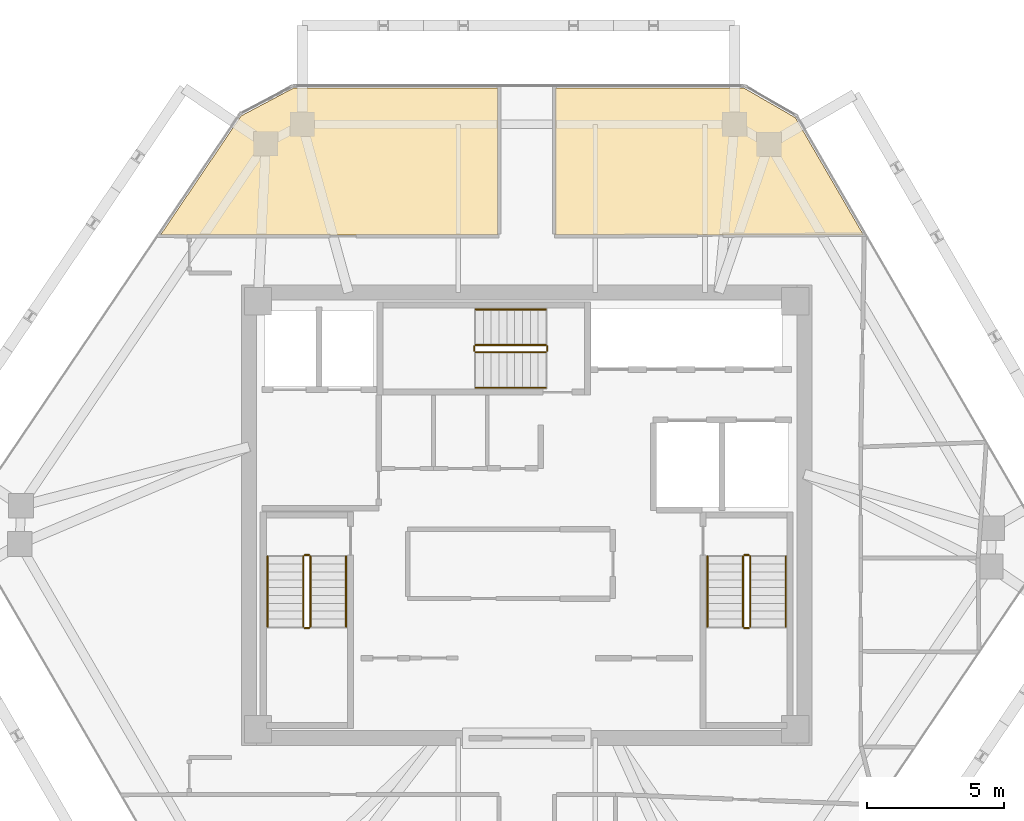
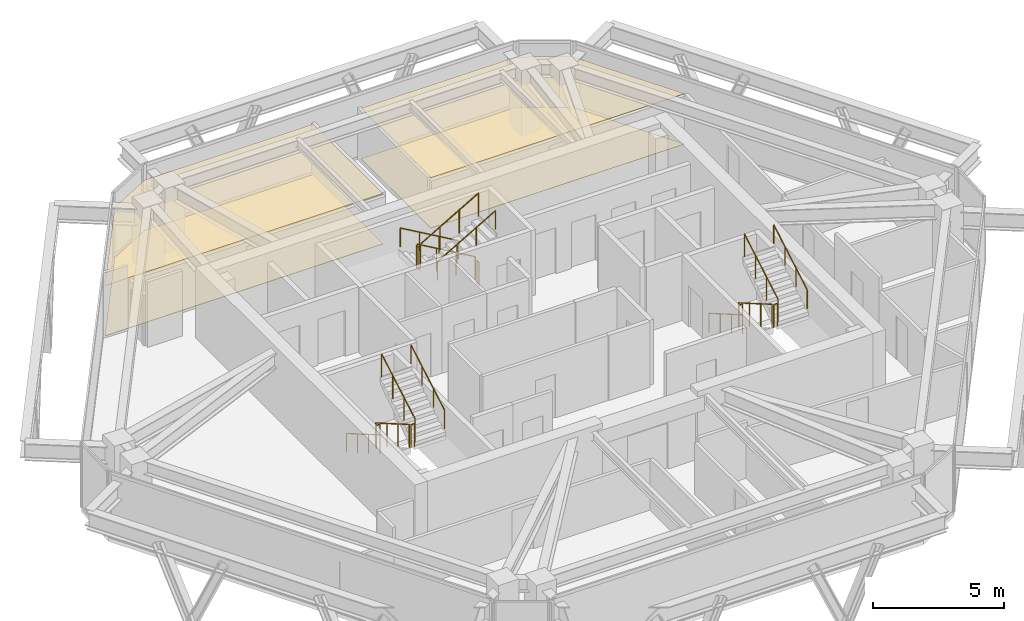
# One storey, part 11 of 11: 18 railings, 4 coverings.
"""IFC4 building model written with IfcOpenShell, lengths in metres."""

from ifc_helpers import new_model, si_unit, direction, frame, origin, origin_2d, place, context, subcontext, project, spatial, polyline, circle, outline, extrude, material, layer, layer_set, type_object, element, save


model = new_model("IFC4")

# Units and contexts
model_context = context("Model", 3, precision=1e-05, world=origin(), true_north=direction((0.0, 1.0)))
body_context = subcontext(model_context, "Body", "Model", "MODEL_VIEW")
ifc_project = project(units=[si_unit("LENGTHUNIT", "METRE"), si_unit("AREAUNIT", "SQUARE_METRE"), si_unit("VOLUMEUNIT", "CUBIC_METRE"), si_unit("PLANEANGLEUNIT", "RADIAN"), si_unit("MASSUNIT", "GRAM", prefix="KILO")], contexts=[model_context])

# Site, building, storey
site_placement = place(None, origin())
site = spatial("IfcSite", under=ifc_project, at=site_placement, CompositionType="ELEMENT")
building_placement = place(site_placement, origin())
building = spatial("IfcBuilding", under=site, at=building_placement, Name="Durnholm Broadcast Tower", CompositionType="ELEMENT")
storey_placement = place(building_placement, frame((0.0, 0.0, 218.300048828125)))
storey = spatial("IfcBuildingStorey", under=building, at=storey_placement, Name="L60", CompositionType="ELEMENT", Elevation=218.300048828125)

# Coverings
ifc_material_1 = material(Name="Mineral Fiber Acoustic Ceiling Tile", Category="concrete")
ifc_layer_1 = layer(ifc_material_1, 0.02490234375)
ifc_layer_set_1 = layer_set([ifc_layer_1], Name="Mineral Fiber Acoustic Ceiling Tile")
covering_type_1 = type_object("IfcCoveringType", Name="COV-CEIL-AC", PredefinedType="CEILING", material=ifc_layer_set_1)
covering_1_placement = place(storey_placement, frame((0.0, 0.0, 2.349853515625)))
element("IfcCovering", 1, at=covering_1_placement, inside=storey, type_object=covering_type_1, Name="L60 Open Plan Broadcast Workspace 2 acoustic ceiling", PredefinedType="CEILING", context=body_context, shape_type="SweptSolid", body=[
    extrude(outline(polyline([(-1.054931640625, 10.22509765625), (-1.054931640625, 15.576904296875), (-8.515380859375, 15.576904296875), (-10.4208984375, 14.565185546875), (-13.35498046875, 10.22509765625), (-1.054931640625, 10.22509765625)])), origin(), (0.0, 0.0, 1.0), 0.025146484375),
])
covering_2_placement = place(storey_placement, frame((0.0, 0.0, 2.349853515625)))
element("IfcCovering", 2, at=covering_2_placement, inside=storey, type_object=covering_type_1, Name="L60 Open Plan Broadcast Workspace 3 acoustic ceiling", PredefinedType="CEILING", context=body_context, shape_type="SweptSolid", body=[
    extrude(outline(polyline([(12.2802734375, 10.22509765625), (9.798095703125, 14.501708984375), (7.931396484375, 15.576904296875), (1.054931640625, 15.576904296875), (1.054931640625, 10.22509765625), (12.2802734375, 10.22509765625)])), origin(), (0.0, 0.0, 1.0), 0.025146484375),
])
ifc_material_2 = material(Name="Engineered Oak Acoustic Broadcast Flooring", Category="wood")
ifc_layer_2 = layer(ifc_material_2, 0.02001953125)
ifc_layer_set_2 = layer_set([ifc_layer_2], Name="Engineered Oak Acoustic Broadcast Flooring")
covering_type_2 = type_object("IfcCoveringType", Name="COV-FLR-OAK", PredefinedType="FLOORING", material=ifc_layer_set_2)
covering_3_placement = place(storey_placement, origin())
element("IfcCovering", 3, at=covering_3_placement, inside=storey, type_object=covering_type_2, Name="L60 Open Plan Broadcast Workspace 2 acoustic oak flooring", PredefinedType="FLOORING", context=body_context, shape_type="SweptSolid", body=[
    extrude(outline(polyline([(-1.054931640625, 10.22509765625), (-1.054931640625, 15.576904296875), (-8.515380859375, 15.576904296875), (-10.4208984375, 14.565185546875), (-13.35498046875, 10.22509765625), (-1.054931640625, 10.22509765625)])), origin(), (0.0, 0.0, 1.0), 0.02001953125),
])
covering_4_placement = place(storey_placement, origin())
element("IfcCovering", 4, at=covering_4_placement, inside=storey, type_object=covering_type_2, Name="L60 Open Plan Broadcast Workspace 3 acoustic oak flooring", PredefinedType="FLOORING", context=body_context, shape_type="SweptSolid", body=[
    extrude(outline(polyline([(12.2802734375, 10.22509765625), (9.798095703125, 14.501708984375), (7.931396484375, 15.576904296875), (1.054931640625, 15.576904296875), (1.054931640625, 10.22509765625), (12.2802734375, 10.22509765625)])), origin(), (0.0, 0.0, 1.0), 0.02001953125),
])

# Railings
ifc_material_3 = material(Name="Painted Tubular Steel Stair Guardrail", Category="steel")
railing_type_1 = type_object("IfcRailingType", Name="RAIL-ST-GRD", PredefinedType="GUARDRAIL", material=ifc_material_3)
railing_1_placement = place(storey_placement, frame((-8.14990234375, -1.5, 0.1650390625)))
element("IfcRailing", 5, at=railing_1_placement, inside=storey, type_object=railing_type_1, Name="L60 ST-1 stair guard 1", PredefinedType="GUARDRAIL", context=body_context, shape_type="SweptSolid", body=[
    extrude(circle(Radius=0.02392578125, at=origin_2d()), frame((0.0, 0.0, 1.076171875), z_axis=(0.0, -0.865441324677, 0.50101029285), x_axis=(1.0, 0.0, 0.0)), (0.0, 0.0, 1.0), 2.963623046875),
    extrude(circle(Radius=0.02099609375, at=origin_2d()), origin(), (0.0, 0.0, 1.0), 1.052001953125),
    extrude(circle(Radius=0.02099609375, at=origin_2d()), frame((0.0, -0.85498046875, 0.494873046875)), (0.0, 0.0, 1.0), 1.052001953125),
    extrude(circle(Radius=0.02099609375, at=origin_2d()), frame((0.0, -1.7099609375, 0.989990234375)), (0.0, 0.0, 1.0), 1.052001953125),
    extrude(circle(Radius=0.02099609375, at=origin_2d()), frame((0.0, -2.56494140625, 1.48486328125)), (0.0, 0.0, 1.0), 1.052001953125),
])
railing_2_placement = place(storey_placement, frame((-8.10009765625, -4.114990234375, 1.64990234375)))
element("IfcRailing", 6, at=railing_2_placement, inside=storey, type_object=railing_type_1, Name="L60 ST-1 stair guard 2", PredefinedType="GUARDRAIL", context=body_context, shape_type="SweptSolid", body=[
    extrude(circle(Radius=0.02392578125, at=origin_2d()), frame((0.0, 0.0, 1.076171875), z_axis=(1.0, 0.0, 0.0), x_axis=(0.0, 1.0, 0.0)), (0.0, 0.0, 1.0), 0.16015625),
    extrude(circle(Radius=0.02099609375, at=origin_2d()), origin(), (0.0, 0.0, 1.0), 1.052001953125),
    extrude(circle(Radius=0.02099609375, at=origin_2d()), frame((0.16015625, 0.0, 0.0)), (0.0, 0.0, 1.0), 1.052001953125),
])
railing_3_placement = place(storey_placement, frame((-7.889892578125, -4.06494140625, 1.81494140625)))
element("IfcRailing", 7, at=railing_3_placement, inside=storey, type_object=railing_type_1, Name="L60 ST-1 stair guard 3", PredefinedType="GUARDRAIL", context=body_context, shape_type="SweptSolid", body=[
    extrude(circle(Radius=0.02392578125, at=origin_2d()), frame((0.0, 0.0, 1.076171875), z_axis=(0.0, 0.865405606168, 0.501071987656), x_axis=(-1.0, 0.0, 0.0)), (0.0, 0.0, 1.0), 2.9638671875),
    extrude(circle(Radius=0.02099609375, at=origin_2d()), origin(), (0.0, 0.0, 1.0), 1.052001953125),
    extrude(circle(Radius=0.02099609375, at=origin_2d()), frame((0.0, 0.85498046875, 0.4951171875)), (0.0, 0.0, 1.0), 1.052001953125),
    extrude(circle(Radius=0.02099609375, at=origin_2d()), frame((0.0, 1.7099609375, 0.989990234375)), (0.0, 0.0, 1.0), 1.052001953125),
    extrude(circle(Radius=0.02099609375, at=origin_2d()), frame((0.0, 2.56494140625, 1.485107421875)), (0.0, 0.0, 1.0), 1.052001953125),
])
railing_4_placement = place(storey_placement, frame((-8.10009765625, -1.449951171875, 0.0)))
element("IfcRailing", 8, at=railing_4_placement, inside=storey, type_object=railing_type_1, Name="L60 ST-1 stair guard 4", PredefinedType="GUARDRAIL", context=body_context, shape_type="SweptSolid", body=[
    extrude(circle(Radius=0.02392578125, at=origin_2d()), frame((0.0, 0.0, 1.076171875), z_axis=(1.0, 0.0, 0.0), x_axis=(0.0, 1.0, 0.0)), (0.0, 0.0, 1.0), 0.16015625),
    extrude(circle(Radius=0.02099609375, at=origin_2d()), origin(), (0.0, 0.0, 1.0), 1.052001953125),
    extrude(circle(Radius=0.02099609375, at=origin_2d()), frame((0.16015625, 0.0, 0.0)), (0.0, 0.0, 1.0), 1.052001953125),
])
railing_5_placement = place(storey_placement, frame((7.889892578125, -1.5, 0.1650390625)))
element("IfcRailing", 9, at=railing_5_placement, inside=storey, type_object=railing_type_1, Name="L60 ST-2 stair guard 1", PredefinedType="GUARDRAIL", context=body_context, shape_type="SweptSolid", body=[
    extrude(circle(Radius=0.02392578125, at=origin_2d()), frame((0.0, 0.0, 1.076171875), z_axis=(0.0, -0.865441324677, 0.50101029285), x_axis=(1.0, 0.0, 0.0)), (0.0, 0.0, 1.0), 2.963623046875),
    extrude(circle(Radius=0.02099609375, at=origin_2d()), origin(), (0.0, 0.0, 1.0), 1.052001953125),
    extrude(circle(Radius=0.02099609375, at=origin_2d()), frame((0.0, -0.85498046875, 0.494873046875)), (0.0, 0.0, 1.0), 1.052001953125),
    extrude(circle(Radius=0.02099609375, at=origin_2d()), frame((0.0, -1.7099609375, 0.989990234375)), (0.0, 0.0, 1.0), 1.052001953125),
    extrude(circle(Radius=0.02099609375, at=origin_2d()), frame((0.0, -2.56494140625, 1.48486328125)), (0.0, 0.0, 1.0), 1.052001953125),
])
railing_6_placement = place(storey_placement, frame((7.93994140625, -4.114990234375, 1.64990234375)))
element("IfcRailing", 10, at=railing_6_placement, inside=storey, type_object=railing_type_1, Name="L60 ST-2 stair guard 2", PredefinedType="GUARDRAIL", context=body_context, shape_type="SweptSolid", body=[
    extrude(circle(Radius=0.02392578125, at=origin_2d()), frame((0.0, 0.0, 1.076171875), z_axis=(1.0, 0.0, 0.0), x_axis=(0.0, 1.0, 0.0)), (0.0, 0.0, 1.0), 0.16015625),
    extrude(circle(Radius=0.02099609375, at=origin_2d()), origin(), (0.0, 0.0, 1.0), 1.052001953125),
    extrude(circle(Radius=0.02099609375, at=origin_2d()), frame((0.16015625, 0.0, 0.0)), (0.0, 0.0, 1.0), 1.052001953125),
])
railing_7_placement = place(storey_placement, frame((8.14990234375, -4.06494140625, 1.81494140625)))
element("IfcRailing", 11, at=railing_7_placement, inside=storey, type_object=railing_type_1, Name="L60 ST-2 stair guard 3", PredefinedType="GUARDRAIL", context=body_context, shape_type="SweptSolid", body=[
    extrude(circle(Radius=0.02392578125, at=origin_2d()), frame((0.0, 0.0, 1.076171875), z_axis=(0.0, 0.865405606168, 0.501071987656), x_axis=(-1.0, 0.0, 0.0)), (0.0, 0.0, 1.0), 2.9638671875),
    extrude(circle(Radius=0.02099609375, at=origin_2d()), origin(), (0.0, 0.0, 1.0), 1.052001953125),
    extrude(circle(Radius=0.02099609375, at=origin_2d()), frame((0.0, 0.85498046875, 0.4951171875)), (0.0, 0.0, 1.0), 1.052001953125),
    extrude(circle(Radius=0.02099609375, at=origin_2d()), frame((0.0, 1.7099609375, 0.989990234375)), (0.0, 0.0, 1.0), 1.052001953125),
    extrude(circle(Radius=0.02099609375, at=origin_2d()), frame((0.0, 2.56494140625, 1.485107421875)), (0.0, 0.0, 1.0), 1.052001953125),
])
railing_8_placement = place(storey_placement, frame((7.93994140625, -1.449951171875, 0.0)))
element("IfcRailing", 12, at=railing_8_placement, inside=storey, type_object=railing_type_1, Name="L60 ST-2 stair guard 4", PredefinedType="GUARDRAIL", context=body_context, shape_type="SweptSolid", body=[
    extrude(circle(Radius=0.02392578125, at=origin_2d()), frame((0.0, 0.0, 1.076171875), z_axis=(1.0, 0.0, 0.0), x_axis=(0.0, 1.0, 0.0)), (0.0, 0.0, 1.0), 0.16015625),
    extrude(circle(Radius=0.02099609375, at=origin_2d()), origin(), (0.0, 0.0, 1.0), 1.052001953125),
    extrude(circle(Radius=0.02099609375, at=origin_2d()), frame((0.16015625, 0.0, 0.0)), (0.0, 0.0, 1.0), 1.052001953125),
])
railing_9_placement = place(storey_placement, frame((0.699951171875, 6.2099609375, 0.1650390625)))
element("IfcRailing", 13, at=railing_9_placement, inside=storey, type_object=railing_type_1, Name="L60 ST-3 stair guard 1", PredefinedType="GUARDRAIL", context=body_context, shape_type="SweptSolid", body=[
    extrude(circle(Radius=0.02392578125, at=origin_2d()), frame((0.0, 0.0, 1.076171875), z_axis=(-0.865441324677, 0.0, 0.50101029285), x_axis=(0.0, -1.0, 0.0)), (0.0, 0.0, 1.0), 2.963623046875),
    extrude(circle(Radius=0.02099609375, at=origin_2d()), origin(), (0.0, 0.0, 1.0), 1.052001953125),
    extrude(circle(Radius=0.02099609375, at=origin_2d()), frame((-0.85498046875, 0.0, 0.494873046875)), (0.0, 0.0, 1.0), 1.052001953125),
    extrude(circle(Radius=0.02099609375, at=origin_2d()), frame((-1.7099609375, 0.0, 0.989990234375)), (0.0, 0.0, 1.0), 1.052001953125),
    extrude(circle(Radius=0.02099609375, at=origin_2d()), frame((-2.56494140625, 0.0, 1.48486328125)), (0.0, 0.0, 1.0), 1.052001953125),
])
railing_10_placement = place(storey_placement, frame((-1.9150390625, 6.159912109375, 1.64990234375)))
element("IfcRailing", 14, at=railing_10_placement, inside=storey, type_object=railing_type_1, Name="L60 ST-3 stair guard 2", PredefinedType="GUARDRAIL", context=body_context, shape_type="SweptSolid", body=[
    extrude(circle(Radius=0.02392578125, at=origin_2d()), frame((0.0, 0.0, 1.076171875), z_axis=(0.0, -1.0, 0.0), x_axis=(1.0, 0.0, 0.0)), (0.0, 0.0, 1.0), 0.159912109375),
    extrude(circle(Radius=0.02099609375, at=origin_2d()), origin(), (0.0, 0.0, 1.0), 1.052001953125),
    extrude(circle(Radius=0.02099609375, at=origin_2d()), frame((0.0, -0.159912109375, 0.0)), (0.0, 0.0, 1.0), 1.052001953125),
])
railing_11_placement = place(storey_placement, frame((-1.864990234375, 5.949951171875, 1.81494140625)))
element("IfcRailing", 15, at=railing_11_placement, inside=storey, type_object=railing_type_1, Name="L60 ST-3 stair guard 3", PredefinedType="GUARDRAIL", context=body_context, shape_type="SweptSolid", body=[
    extrude(circle(Radius=0.02392578125, at=origin_2d()), frame((0.0, 0.0, 1.076171875), z_axis=(0.865405606168, 0.0, 0.501071987656), x_axis=(0.0, 1.0, 0.0)), (0.0, 0.0, 1.0), 2.9638671875),
    extrude(circle(Radius=0.02099609375, at=origin_2d()), origin(), (0.0, 0.0, 1.0), 1.052001953125),
    extrude(circle(Radius=0.02099609375, at=origin_2d()), frame((0.85498046875, 0.0, 0.4951171875)), (0.0, 0.0, 1.0), 1.052001953125),
    extrude(circle(Radius=0.02099609375, at=origin_2d()), frame((1.7099609375, 0.0, 0.989990234375)), (0.0, 0.0, 1.0), 1.052001953125),
    extrude(circle(Radius=0.02099609375, at=origin_2d()), frame((2.56494140625, 0.0, 1.485107421875)), (0.0, 0.0, 1.0), 1.052001953125),
])
railing_12_placement = place(storey_placement, frame((0.75, 6.159912109375, 0.0)))
element("IfcRailing", 16, at=railing_12_placement, inside=storey, type_object=railing_type_1, Name="L60 ST-3 stair guard 4", PredefinedType="GUARDRAIL", context=body_context, shape_type="SweptSolid", body=[
    extrude(circle(Radius=0.02392578125, at=origin_2d()), frame((0.0, 0.0, 1.076171875), z_axis=(0.0, -1.0, 0.0), x_axis=(1.0, 0.0, 0.0)), (0.0, 0.0, 1.0), 0.159912109375),
    extrude(circle(Radius=0.02099609375, at=origin_2d()), origin(), (0.0, 0.0, 1.0), 1.052001953125),
    extrude(circle(Radius=0.02099609375, at=origin_2d()), frame((0.0, -0.159912109375, 0.0)), (0.0, 0.0, 1.0), 1.052001953125),
])
ifc_material_4 = material(Name="Brushed Stainless Steel Handrail", Category="steel")
railing_type_2 = type_object("IfcRailingType", Name="RAIL-ST-HND", PredefinedType="HANDRAIL", material=ifc_material_4)
railing_13_placement = place(storey_placement, frame((-9.449951171875, -1.5, 0.329833984375)))
element("IfcRailing", 17, at=railing_13_placement, inside=storey, type_object=railing_type_2, Name="L60 ST-1 stair handrail 1", PredefinedType="HANDRAIL", context=body_context, shape_type="SweptSolid", body=[
    extrude(circle(Radius=0.02392578125, at=origin_2d()), frame((0.0, 0.0, 0.8759765625), z_axis=(0.0, -0.865405606168, 0.501071987656), x_axis=(1.0, 0.0, 0.0)), (0.0, 0.0, 1.0), 2.9638671875),
    extrude(circle(Radius=0.02099609375, at=origin_2d()), origin(), (0.0, 0.0, 1.0), 0.851806640625),
    extrude(circle(Radius=0.02099609375, at=origin_2d()), frame((0.0, -0.85498046875, 0.4951171875)), (0.0, 0.0, 1.0), 0.851806640625),
    extrude(circle(Radius=0.02099609375, at=origin_2d()), frame((0.0, -1.7099609375, 0.989990234375)), (0.0, 0.0, 1.0), 0.851806640625),
    extrude(circle(Radius=0.02099609375, at=origin_2d()), frame((0.0, -2.56494140625, 1.485107421875)), (0.0, 0.0, 1.0), 0.851806640625),
])
railing_14_placement = place(storey_placement, frame((-6.590087890625, -4.06494140625, 1.97998046875)))
element("IfcRailing", 18, at=railing_14_placement, inside=storey, type_object=railing_type_2, Name="L60 ST-1 stair handrail 2", PredefinedType="HANDRAIL", context=body_context, shape_type="SweptSolid", body=[
    extrude(circle(Radius=0.02392578125, at=origin_2d()), frame((0.0, 0.0, 0.8759765625), z_axis=(0.0, 0.865441324677, 0.50101029285), x_axis=(-1.0, 0.0, 0.0)), (0.0, 0.0, 1.0), 2.963623046875),
    extrude(circle(Radius=0.02099609375, at=origin_2d()), origin(), (0.0, 0.0, 1.0), 0.851806640625),
    extrude(circle(Radius=0.02099609375, at=origin_2d()), frame((0.0, 0.85498046875, 0.494873046875)), (0.0, 0.0, 1.0), 0.851806640625),
    extrude(circle(Radius=0.02099609375, at=origin_2d()), frame((0.0, 1.7099609375, 0.989990234375)), (0.0, 0.0, 1.0), 0.851806640625),
    extrude(circle(Radius=0.02099609375, at=origin_2d()), frame((0.0, 2.56494140625, 1.48486328125)), (0.0, 0.0, 1.0), 0.851806640625),
])
railing_15_placement = place(storey_placement, frame((6.590087890625, -1.5, 0.329833984375)))
element("IfcRailing", 19, at=railing_15_placement, inside=storey, type_object=railing_type_2, Name="L60 ST-2 stair handrail 1", PredefinedType="HANDRAIL", context=body_context, shape_type="SweptSolid", body=[
    extrude(circle(Radius=0.02392578125, at=origin_2d()), frame((0.0, 0.0, 0.8759765625), z_axis=(0.0, -0.865405606168, 0.501071987656), x_axis=(1.0, 0.0, 0.0)), (0.0, 0.0, 1.0), 2.9638671875),
    extrude(circle(Radius=0.02099609375, at=origin_2d()), origin(), (0.0, 0.0, 1.0), 0.851806640625),
    extrude(circle(Radius=0.02099609375, at=origin_2d()), frame((0.0, -0.85498046875, 0.4951171875)), (0.0, 0.0, 1.0), 0.851806640625),
    extrude(circle(Radius=0.02099609375, at=origin_2d()), frame((0.0, -1.7099609375, 0.989990234375)), (0.0, 0.0, 1.0), 0.851806640625),
    extrude(circle(Radius=0.02099609375, at=origin_2d()), frame((0.0, -2.56494140625, 1.485107421875)), (0.0, 0.0, 1.0), 0.851806640625),
])
railing_16_placement = place(storey_placement, frame((9.449951171875, -4.06494140625, 1.97998046875)))
element("IfcRailing", 20, at=railing_16_placement, inside=storey, type_object=railing_type_2, Name="L60 ST-2 stair handrail 2", PredefinedType="HANDRAIL", context=body_context, shape_type="SweptSolid", body=[
    extrude(circle(Radius=0.02392578125, at=origin_2d()), frame((0.0, 0.0, 0.8759765625), z_axis=(0.0, 0.865441324677, 0.50101029285), x_axis=(-1.0, 0.0, 0.0)), (0.0, 0.0, 1.0), 2.963623046875),
    extrude(circle(Radius=0.02099609375, at=origin_2d()), origin(), (0.0, 0.0, 1.0), 0.851806640625),
    extrude(circle(Radius=0.02099609375, at=origin_2d()), frame((0.0, 0.85498046875, 0.494873046875)), (0.0, 0.0, 1.0), 0.851806640625),
    extrude(circle(Radius=0.02099609375, at=origin_2d()), frame((0.0, 1.7099609375, 0.989990234375)), (0.0, 0.0, 1.0), 0.851806640625),
    extrude(circle(Radius=0.02099609375, at=origin_2d()), frame((0.0, 2.56494140625, 1.48486328125)), (0.0, 0.0, 1.0), 0.851806640625),
])
railing_17_placement = place(storey_placement, frame((0.699951171875, 7.510009765625, 0.329833984375)))
element("IfcRailing", 21, at=railing_17_placement, inside=storey, type_object=railing_type_2, Name="L60 ST-3 stair handrail 1", PredefinedType="HANDRAIL", context=body_context, shape_type="SweptSolid", body=[
    extrude(circle(Radius=0.02392578125, at=origin_2d()), frame((0.0, 0.0, 0.8759765625), z_axis=(-0.865405606168, 0.0, 0.501071987656), x_axis=(0.0, -1.0, 0.0)), (0.0, 0.0, 1.0), 2.9638671875),
    extrude(circle(Radius=0.02099609375, at=origin_2d()), origin(), (0.0, 0.0, 1.0), 0.851806640625),
    extrude(circle(Radius=0.02099609375, at=origin_2d()), frame((-0.85498046875, 0.0, 0.4951171875)), (0.0, 0.0, 1.0), 0.851806640625),
    extrude(circle(Radius=0.02099609375, at=origin_2d()), frame((-1.7099609375, 0.0, 0.989990234375)), (0.0, 0.0, 1.0), 0.851806640625),
    extrude(circle(Radius=0.02099609375, at=origin_2d()), frame((-2.56494140625, 0.0, 1.485107421875)), (0.0, 0.0, 1.0), 0.851806640625),
])
railing_18_placement = place(storey_placement, frame((-1.864990234375, 4.64990234375, 1.97998046875)))
element("IfcRailing", 22, at=railing_18_placement, inside=storey, type_object=railing_type_2, Name="L60 ST-3 stair handrail 2", PredefinedType="HANDRAIL", context=body_context, shape_type="SweptSolid", body=[
    extrude(circle(Radius=0.02392578125, at=origin_2d()), frame((0.0, 0.0, 0.8759765625), z_axis=(0.865441324677, 0.0, 0.50101029285), x_axis=(0.0, 1.0, 0.0)), (0.0, 0.0, 1.0), 2.963623046875),
    extrude(circle(Radius=0.02099609375, at=origin_2d()), origin(), (0.0, 0.0, 1.0), 0.851806640625),
    extrude(circle(Radius=0.02099609375, at=origin_2d()), frame((0.85498046875, 0.0, 0.494873046875)), (0.0, 0.0, 1.0), 0.851806640625),
    extrude(circle(Radius=0.02099609375, at=origin_2d()), frame((1.7099609375, 0.0, 0.989990234375)), (0.0, 0.0, 1.0), 0.851806640625),
    extrude(circle(Radius=0.02099609375, at=origin_2d()), frame((2.56494140625, 0.0, 1.48486328125)), (0.0, 0.0, 1.0), 0.851806640625),
])

save(model, "model.ifc")
